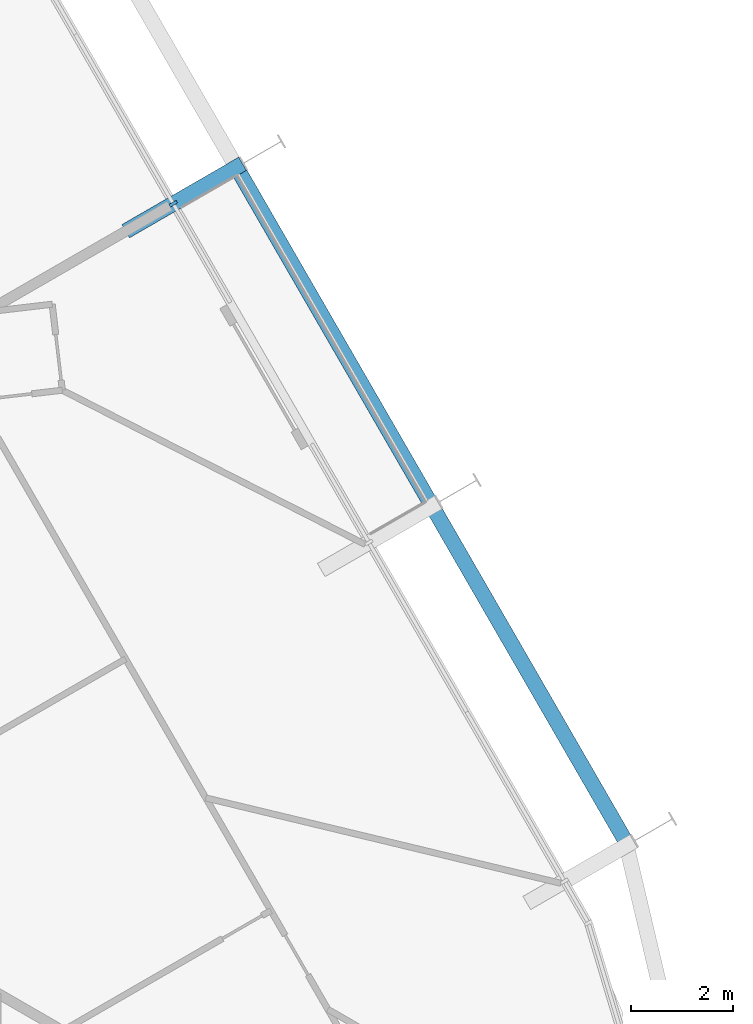
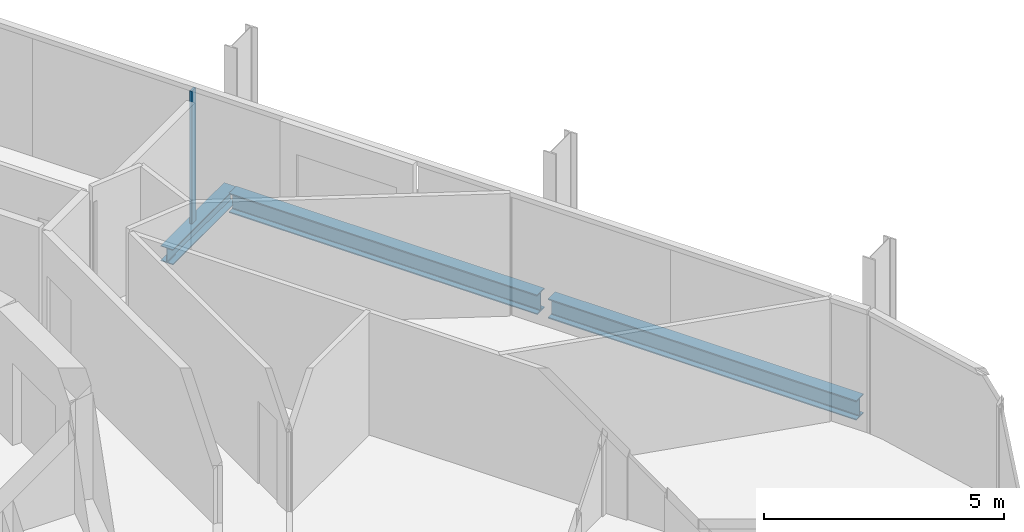
# One storey, part 8 of 20: 3 beams, 1 member, 1 element without a shape of its own.
"""IFC4 building model written with IfcOpenShell, lengths in metres."""

import ifcopenshell
import ifcopenshell.guid

model = None  # the IFC model being written
_history = None  # IfcOwnerHistory: only IFC2X3 demands one
_inside = {}  # id of a spatial element -> (the spatial element, [elements in it])
_under = {}  # id of a project, library or spatial element -> (it, [spatial elements below it])
_declared = {}  # id of a project -> (the project, [libraries it declares])
_typed = {}  # id of a type object -> (the type object, [elements of that type])
_made_of = {}  # id of a material, layer set ... -> (it, [elements and type objects made of it])


def new_model(schema):
    """Start an empty IFC model of exactly this schema.

    Asked for "IFC4X3", IfcOpenShell would pick the latest addendum, in which some entities
    have other attributes; the version numbers below select the first issue.
    IFC2X3 requires an IfcOwnerHistory on every rooted entity: one is made here for all.
    """
    global model, _history
    if schema == "IFC4X3":
        model = ifcopenshell.file(schema_version=(4, 3, 0, 0))
    else:
        model = ifcopenshell.file(schema=schema)
    _inside.clear()
    _under.clear()
    _declared.clear()
    _typed.clear()
    _made_of.clear()
    _history = None
    if model.schema == "IFC2X3":
        org = make("IfcOrganization", Name="unknown")
        user = make(
            "IfcPersonAndOrganization",
            ThePerson=make("IfcPerson", FamilyName="unknown"),
            TheOrganization=org,
        )
        app = make(
            "IfcApplication",
            ApplicationDeveloper=org,
            Version="unknown",
            ApplicationFullName="unknown",
            ApplicationIdentifier="unknown",
        )
        _history = make(
            "IfcOwnerHistory",
            OwningUser=user,
            OwningApplication=app,
            ChangeAction="ADDED",
            CreationDate=0,
        )
    return model


def make(cls, **values):
    """One entity of the class cls with the attributes given. An attribute that is None is left unset."""
    return model.create_entity(
        cls, **{name: value for name, value in values.items() if value is not None}
    )


def rooted(cls, **values):
    """An entity with a GlobalId (a new one), such as an element, a storey or a relation."""
    return make(cls, GlobalId=ifcopenshell.guid.new(), OwnerHistory=_history, **values)


def si_unit(unit_type, name, prefix=None):
    """IfcSIUnit, for example si_unit("LENGTHUNIT", "METRE", prefix="MILLI")."""
    return make("IfcSIUnit", UnitType=unit_type, Prefix=prefix, Name=name)


def assignment(units):
    """IfcUnitAssignment: the units of a project."""
    return None if units is None else make("IfcUnitAssignment", Units=units)


def point(xyz):
    """IfcCartesianPoint."""
    return None if xyz is None else make("IfcCartesianPoint", Coordinates=xyz)


def direction(xyz):
    """IfcDirection."""
    return None if xyz is None else make("IfcDirection", DirectionRatios=xyz)


def frame(location, z_axis=None, x_axis=None):
    """IfcAxis2Placement3D, a coordinate frame: its origin and axes. An axis left out is left unset."""
    return make(
        "IfcAxis2Placement3D",
        Location=point(location),
        Axis=direction(z_axis),
        RefDirection=direction(x_axis),
    )


def frame_2d(location, x_axis=None):
    """IfcAxis2Placement2D, a coordinate frame in the plane: its origin and x axis."""
    return make(
        "IfcAxis2Placement2D", Location=point(location), RefDirection=direction(x_axis)
    )


def origin():
    """The frame at (0, 0, 0) with its axes left unset."""
    return frame((0.0, 0.0, 0.0))


def origin_2d():
    """The frame at (0, 0) in the plane with its x axis left unset."""
    return frame_2d((0.0, 0.0))


def place(relative_to, where):
    """IfcLocalPlacement: puts the frame where relative to a parent placement (None: the world)."""
    return make(
        "IfcLocalPlacement", PlacementRelTo=relative_to, RelativePlacement=where
    )


def context(
    kind, dimensions, precision=None, world=None, true_north=None, identifier=None
):
    """IfcGeometricRepresentationContext, for example the 3D "Model" context."""
    return make(
        "IfcGeometricRepresentationContext",
        ContextIdentifier=identifier,
        ContextType=kind,
        CoordinateSpaceDimension=dimensions,
        Precision=precision,
        WorldCoordinateSystem=world,
        TrueNorth=true_north,
    )


def subcontext(parent, identifier, kind, view, scale=None):
    """IfcGeometricRepresentationSubContext, for example "Body" below "Model"."""
    return make(
        "IfcGeometricRepresentationSubContext",
        ContextIdentifier=identifier,
        ContextType=kind,
        ParentContext=parent,
        TargetScale=scale,
        TargetView=view,
    )


def project(units=None, contexts=None):
    """IfcProject with its units and contexts."""
    return rooted(
        "IfcProject",
        Name="project",
        RepresentationContexts=contexts,
        UnitsInContext=assignment(units),
    )


def spatial(cls, under=None, at=None, **own):
    """A site, building, storey or space (cls), placed at a placement, below another one or the project."""
    s = rooted(cls, ObjectPlacement=at, **own)
    if under is not None:
        _under.setdefault(under.id(), (under, []))[1].append(s)
    return s


def profile(cls, at=None, kind="AREA", **sizes):
    """A parametric profile (cls). Its sizes go by their IFC names, for example OverallWidth=200.0."""
    return make(cls, ProfileType=kind, Position=at, **sizes)


def rectangle(**sizes):
    """IfcRectangleProfileDef."""
    return profile("IfcRectangleProfileDef", **sizes)


def i_section(**sizes):
    """IfcIShapeProfileDef."""
    return profile("IfcIShapeProfileDef", **sizes)


def extrude(swept, where, along, depth):
    """IfcExtrudedAreaSolid: the profile swept, set in the frame where, extruded along a direction by depth."""
    return make(
        "IfcExtrudedAreaSolid",
        SweptArea=swept,
        Position=where,
        ExtrudedDirection=direction(along),
        Depth=depth,
    )


def shape(context_of_items, identifier, shape_type, items):
    """IfcShapeRepresentation: the items that make up one representation, for example the "Body"."""
    return make(
        "IfcShapeRepresentation",
        ContextOfItems=context_of_items,
        RepresentationIdentifier=identifier,
        RepresentationType=shape_type,
        Items=items,
    )


def material(Name=None, Category=None):
    """IfcMaterial."""
    return make("IfcMaterial", Name=Name, Category=Category)


def layer(
    of_material, thickness, ventilated=None, Name=None, Category=None, Priority=None
):
    """IfcMaterialLayer: one layer of a wall or slab, of a material (None: an air gap)."""
    return make(
        "IfcMaterialLayer",
        Material=of_material,
        LayerThickness=thickness,
        IsVentilated=ventilated,
        Name=Name,
        Category=Category,
        Priority=Priority,
    )


def layer_set(layers, Name=None):
    """IfcMaterialLayerSet."""
    return make("IfcMaterialLayerSet", MaterialLayers=layers, LayerSetName=Name)


def material_profile(
    of_material, cross_section, Name=None, Category=None, Priority=None
):
    """IfcMaterialProfile: a cross section and its material."""
    return make(
        "IfcMaterialProfile",
        Name=Name,
        Material=of_material,
        Profile=cross_section,
        Priority=Priority,
        Category=Category,
    )


def profile_set(profiles, Name=None, composite=None):
    """IfcMaterialProfileSet."""
    return make(
        "IfcMaterialProfileSet",
        Name=Name,
        MaterialProfiles=profiles,
        CompositeProfile=composite,
    )


def made_of(thing, what):
    """Note that an element or type object is made of a material, layer set ...; save() writes the relation."""
    if what is not None:
        _made_of.setdefault(what.id(), (what, []))[1].append(thing)
    return thing


def type_object(cls, material=None, **own):
    """A type object (cls), such as IfcWallType, which elements share."""
    return made_of(rooted(cls, **own), material)


def element(
    cls,
    number,
    at=None,
    inside=None,
    cuts=None,
    type_object=None,
    material=None,
    context=None,
    identifier="Body",
    shape_type=None,
    held_by="IfcProductDefinitionShape",
    body=None,
    shapes=None,
    **own,
):
    """One element of the class cls, such as IfcWall. Its Tag is "e" and its number.

    at: its placement. inside: the storey or other place that contains it. cuts: it is an
    opening in that element (IfcRelVoidsElement). A single representation is given by context,
    identifier, shape_type and body (its items); several are given by shapes. held_by: the class
    of the entity that holds the representations. save() writes the other relations.
    """
    e = rooted(cls, Tag="e%d" % number, ObjectPlacement=at, **own)
    if body is not None:
        shapes = [shape(context, identifier, shape_type, body)]
    if shapes is not None:
        e.Representation = make(held_by, Representations=shapes)
    if inside is not None:
        _inside.setdefault(inside.id(), (inside, []))[1].append(e)
    if cuts is not None:
        rooted(
            "IfcRelVoidsElement", RelatingBuildingElement=cuts, RelatedOpeningElement=e
        )
    if type_object is not None:
        _typed.setdefault(type_object.id(), (type_object, []))[1].append(e)
    return made_of(e, material)


def aggregate(whole, parts):
    """IfcRelAggregates: a whole, such as a stair, and the parts it consists of."""
    return rooted("IfcRelAggregates", RelatingObject=whole, RelatedObjects=parts)


def save(model, path):
    """Write the relations noted so far, then the file.

    IfcRelAggregates (storeys below a building ...), IfcRelContainedInSpatialStructure (elements
    in a storey), IfcRelDefinesByType, IfcRelAssociatesMaterial and IfcRelDeclares: one each for
    every whole, place, type object, material and project.
    """
    for whole, parts in _under.values():
        aggregate(whole, parts)
    for where, things in _inside.values():
        rooted(
            "IfcRelContainedInSpatialStructure",
            RelatedElements=things,
            RelatingStructure=where,
        )
    for kind, things in _typed.values():
        rooted("IfcRelDefinesByType", RelatedObjects=things, RelatingType=kind)
    for what, things in _made_of.values():
        rooted("IfcRelAssociatesMaterial", RelatedObjects=things, RelatingMaterial=what)
    for by, libraries in _declared.values():
        rooted("IfcRelDeclares", RelatingContext=by, RelatedDefinitions=libraries)
    model.write(path)


model = new_model("IFC4")

# Units and contexts
model_context = context("Model", 3, precision=1e-05, world=origin(), true_north=direction((0.0, 1.0)))
body_context = subcontext(model_context, "Body", "Model", "MODEL_VIEW")
ifc_project = project(units=[si_unit("LENGTHUNIT", "METRE"), si_unit("AREAUNIT", "SQUARE_METRE"), si_unit("VOLUMEUNIT", "CUBIC_METRE"), si_unit("PLANEANGLEUNIT", "RADIAN"), si_unit("MASSUNIT", "GRAM", prefix="KILO")], contexts=[model_context])

# Site, building, storey
site_placement = place(None, origin())
site = spatial("IfcSite", under=ifc_project, at=site_placement, CompositionType="ELEMENT")
building_placement = place(site_placement, origin())
building = spatial("IfcBuilding", under=site, at=building_placement, Name="Spindle Arch Residences", CompositionType="ELEMENT")
storey_placement = place(building_placement, frame((0.0, 0.0, 59.39990234375)))
storey = spatial("IfcBuildingStorey", under=building, at=storey_placement, Name="L13", CompositionType="ELEMENT", Elevation=59.39990234375)

# Curtain wall, member
ifc_material_1 = material(Name="Aluminium bronze unitised frame with tinted glass", Category="aluminium")
ifc_layer = layer(ifc_material_1, 0.159912109375)
ifc_layer_set = layer_set([ifc_layer], Name="CW-C typical residential unitised wall")
curtain_wall_type = type_object("IfcCurtainWallType", Name="CW-C typical residential unitised wall", PredefinedType="NOTDEFINED", material=ifc_layer_set)
curtain_wall_placement = place(storey_placement, origin())
curtain_wall = element("IfcCurtainWall", 1, at=curtain_wall_placement, inside=storey, type_object=curtain_wall_type, Name="CW-C L13 run 2", PredefinedType="NOTDEFINED")
ifc_material_2 = material(Name="Aluminium bronze anodised mullion", Category="aluminium")
ifc_material_profile_1 = material_profile(ifc_material_2, rectangle(XDim=0.159912109375, YDim=0.06005859375, at=origin_2d()), Name="MU 60x160")
ifc_profile_set_1 = profile_set([ifc_material_profile_1], Name="Aluminium bronze anodised mullion")
member_type = type_object("IfcMemberType", Name="Bronze mullion 60x160", PredefinedType="MULLION", material=ifc_profile_set_1)
member_placement = place(storey_placement, frame((18.9892578125, 6.529296875, -0.3798828125), z_axis=(0.0, 0.0, 1.0), x_axis=(-0.866025403784, -0.5, 0.0)))
member = element("IfcMember", 2, at=member_placement, type_object=member_type, Name="CW-C mullion 07", PredefinedType="MULLION", context=body_context, shape_type="SweptSolid", body=[
    extrude(rectangle(XDim=0.159912109375, YDim=0.06005859375, at=origin_2d()), origin(), (0.0, 0.0, 1.0), 3.3798828125),
])
aggregate(curtain_wall, [member])

# Beams
ifc_material_3 = material(Name="Steel S460ML, intumescent coating R 120", Category="steel")
ifc_material_profile_2 = material_profile(ifc_material_3, i_section(OverallWidth=0.300048828125, OverallDepth=0.5, WebThickness=0.014404296875, FlangeThickness=0.028076171875, FilletRadius=0.027099609375, at=origin_2d()), Name="HEB 500")
ifc_profile_set_2 = profile_set([ifc_material_profile_2], Name="Steel S460ML, intumescent coating R 120")
beam_type_1 = type_object("IfcBeamType", Name="Exoskeleton edge beam HEB 500", PredefinedType="BEAM", material=ifc_profile_set_2)
for number, where, z_axis, x_axis, name in (
    (3, (27.84521484375, -5.94384765625, -0.6298828125), (-0.49998923004, 0.866031621735, 0.0), (-0.866031621735, -0.49998923004, 0.0), "Exoskeleton edge beam 6"),
    (4, (24.00537109375, 0.707275390625, -0.6298828125), (-0.49998923004, 0.866031621735, 0.0), (-0.866031621735, -0.49998923004, 0.0), "Exoskeleton edge beam 7"),
):
    element("IfcBeam", number, at=place(storey_placement, frame(where, z_axis=z_axis, x_axis=x_axis)), inside=storey, type_object=beam_type_1, Name=name, PredefinedType="BEAM", context=body_context, shape_type="SweptSolid", body=[
        extrude(i_section(OverallWidth=0.300048828125, OverallDepth=0.5, WebThickness=0.014404296875, FlangeThickness=0.028076171875, FilletRadius=0.027099609375, at=origin_2d()), origin(), (0.0, 0.0, 1.0), 7.420166015625),
    ])
ifc_material_4 = material(Name="Steel S460ML, intumescent coating R 120", Category="steel")
ifc_material_profile_3 = material_profile(ifc_material_4, i_section(OverallWidth=0.300048828125, OverallDepth=0.389892578125, WebThickness=0.010986328125, FlangeThickness=0.01904296875, FilletRadius=0.027099609375, at=origin_2d()), Name="HEA 400")
ifc_profile_set_3 = profile_set([ifc_material_profile_3], Name="Steel S460ML, intumescent coating R 120")
beam_type_2 = type_object("IfcBeamType", Name="Floor outrigger HEA 400", PredefinedType="BEAM", material=ifc_profile_set_3)
beam_placement = place(storey_placement, frame((20.34912109375, 7.314453125, -0.574951171875), z_axis=(-0.866052124492, -0.499953715521, 0.0), x_axis=(0.499953715521, -0.866052124492, 0.0)))
element("IfcBeam", 5, at=beam_placement, inside=storey, type_object=beam_type_2, Name="Floor outrigger 8", PredefinedType="BEAM", context=body_context, shape_type="SweptSolid", body=[
    extrude(i_section(OverallWidth=0.300048828125, OverallDepth=0.389892578125, WebThickness=0.010986328125, FlangeThickness=0.01904296875, FilletRadius=0.027099609375, at=origin_2d()), origin(), (0.0, 0.0, 1.0), 2.650146484375),
])

save(model, "model.ifc")
